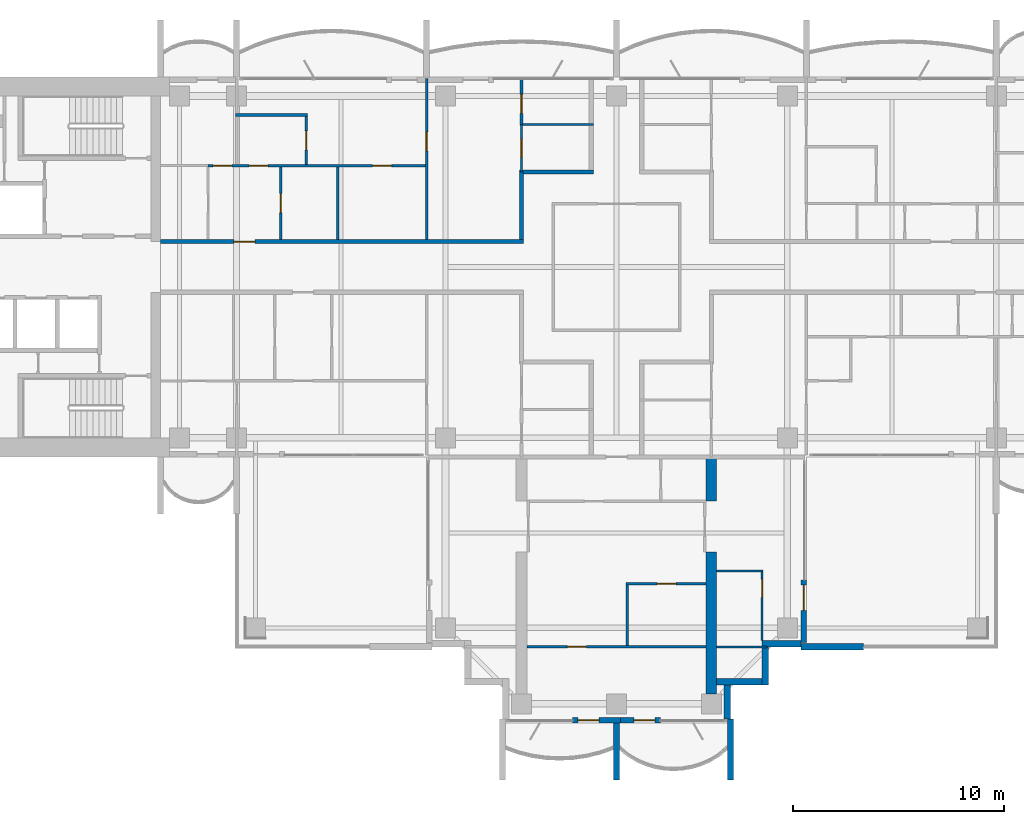
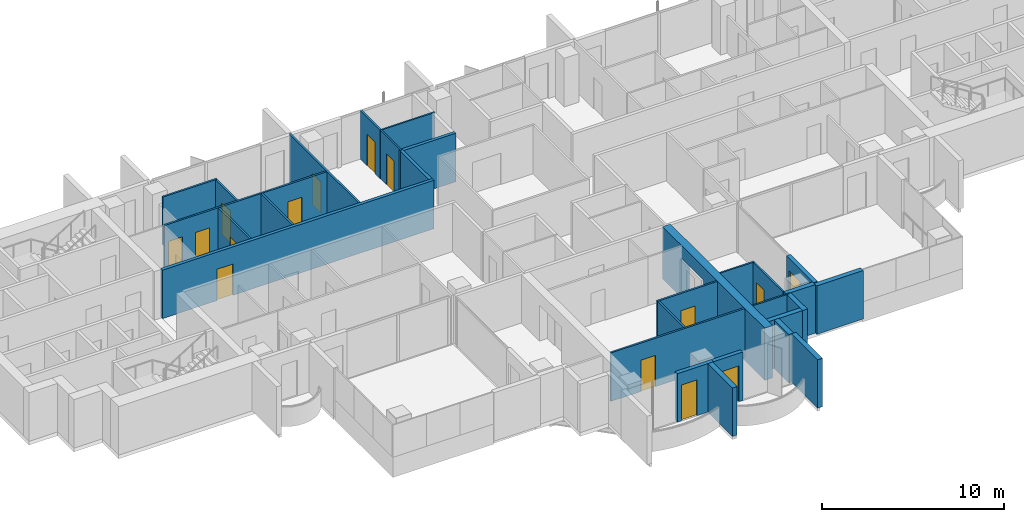
# One storey, part 10 of 18: 29 walls, 15 doors, 15 openings.
"""IFC4 building model written with IfcOpenShell, lengths in metres."""

from ifc_helpers import new_model, si_unit, direction, frame, frame_2d, origin, place, context, subcontext, project, spatial, polyline, rectangle, outline, extrude, material, layer, layer_set, material_profile, profile_set, type_object, element, fill, save


model = new_model("IFC4")

# Units and contexts
model_context = context("Model", 3, precision=1e-05, world=origin(), true_north=direction((0.0, 1.0)))
body_context = subcontext(model_context, "Body", "Model", "MODEL_VIEW")
ifc_project = project(units=[si_unit("LENGTHUNIT", "METRE"), si_unit("AREAUNIT", "SQUARE_METRE"), si_unit("VOLUMEUNIT", "CUBIC_METRE"), si_unit("PLANEANGLEUNIT", "RADIAN"), si_unit("MASSUNIT", "GRAM", prefix="KILO")], contexts=[model_context])

# Site, building, storey
site_placement = place(None, origin())
site = spatial("IfcSite", under=ifc_project, at=site_placement, CompositionType="ELEMENT")
building_placement = place(site_placement, origin())
building = spatial("IfcBuilding", under=site, at=building_placement, Name="Perihelion Cross Residences", CompositionType="ELEMENT")
storey_placement = place(building_placement, frame((0.0, 0.0, 173.60009765625)))
storey = spatial("IfcBuildingStorey", under=building, at=storey_placement, Name="L42", CompositionType="ELEMENT", Elevation=173.60009765625)

# Wall, opening, door
ifc_material_1 = material(Name="Plasterboard partition")
ifc_layer_1 = layer(ifc_material_1, 0.199951171875)
ifc_layer_set_1 = layer_set([ifc_layer_1], Name="Apartment separation wall 200")
wall_type_1 = type_object("IfcWallType", Name="Apartment separation wall 200", PredefinedType="PARTITIONING", material=ifc_layer_set_1)
wall_1_placement = place(storey_placement, frame((-21.60009765625, 1.199951171875, 0.0), z_axis=(0.0, 0.0, 1.0), x_axis=(1.0, 0.0, 0.0)))
wall_1 = element("IfcWall", 1, at=wall_1_placement, inside=storey, type_object=wall_type_1, Name="Partition L42 W013", PredefinedType="PARTITIONING", context=body_context, shape_type="SweptSolid", body=[
    extrude(rectangle(XDim=17.2001953125, YDim=0.199951171875, at=frame_2d((8.60009765625, 0.0))), origin(), (0.0, 0.0, 1.0), 3.25),
])
opening_1_placement = place(wall_1_placement, frame((3.47509765625, 0.0, 0.0)))
opening_1 = element("IfcOpeningElement", 2, at=opening_1_placement, cuts=wall_1, Name="Opening L42.A47", PredefinedType="OPENING", context=body_context, shape_type="SweptSolid", body=[
    extrude(rectangle(XDim=1.0, YDim=2.10009765625, at=frame_2d((0.5, 1.050048828125))), frame((0.0, 0.10986328125, 0.0), z_axis=(0.0, -1.0, 0.0), x_axis=(1.0, 0.0, 0.0)), (0.0, 0.0, 1.0), 0.219970703125),
])
ifc_material_2 = material(Name="Timber door leaf", Category="wood")
door_type_1 = type_object("IfcDoorType", Name="Flat entrance door 1000 x 2100", OperationType="SINGLE_SWING_LEFT", PredefinedType="DOOR", material=ifc_material_2)
door_1_placement = place(opening_1_placement, origin())
door_1 = element("IfcDoor", 3, at=door_1_placement, inside=storey, type_object=door_type_1, Name="Door L42.A47", OperationType="SINGLE_SWING_LEFT", OverallHeight=2.10009765625, OverallWidth=1.0, PredefinedType="DOOR", context=body_context, shape_type="SweptSolid", body=[
    extrude(rectangle(XDim=1.0, YDim=2.10009765625, at=frame_2d((0.5, 1.050048828125))), frame((0.0, 0.02490234375, 0.0), z_axis=(0.0, -1.0, 0.0), x_axis=(1.0, 0.0, 0.0)), (0.0, 0.0, 1.0), 0.050048828125),
])
fill(opening_1, door_1)

# Walls
wall_2_placement = place(storey_placement, frame((-4.5, 1.300048828125, 0.0), z_axis=(0.0, 0.0, 1.0), x_axis=(0.0, 1.0, 0.0)))
element("IfcWall", 4, at=wall_2_placement, inside=storey, type_object=wall_type_1, Name="Partition L42 W014", PredefinedType="PARTITIONING", context=body_context, shape_type="SweptSolid", body=[
    extrude(rectangle(XDim=3.199951171875, YDim=0.199951171875, at=frame_2d((1.60009765625, 0.0))), origin(), (0.0, 0.0, 1.0), 3.25),
])
wall_3_placement = place(storey_placement, frame((-4.60009765625, 4.5, 0.0), z_axis=(0.0, 0.0, 1.0), x_axis=(1.0, 0.0, 0.0)))
element("IfcWall", 5, at=wall_3_placement, inside=storey, type_object=wall_type_1, Name="Partition L42 W015", PredefinedType="PARTITIONING", context=body_context, shape_type="SweptSolid", body=[
    extrude(rectangle(XDim=3.5, YDim=0.199951171875, at=frame_2d((1.75, 0.0))), origin(), (0.0, 0.0, 1.0), 3.25),
])

# Wall, opening, door
ifc_material_3 = material(Name="Concrete C30/37, bronze-clad", Category="concrete")
ifc_layer_2 = layer(ifc_material_3, 0.25)
ifc_layer_set_2 = layer_set([ifc_layer_2], Name="Bronze-clad pier wall 250")
wall_type_2 = type_object("IfcWallType", Name="Bronze-clad pier wall 250", PredefinedType="SOLIDWALL", material=ifc_layer_set_2)
wall_4_placement = place(storey_placement, frame((-2.074951171875, -21.47509765625, 0.0), z_axis=(0.0, 0.0, 1.0), x_axis=(1.0, 0.0, 0.0)))
wall_4 = element("IfcWall", 6, at=wall_4_placement, inside=storey, type_object=wall_type_2, Name="Wall FW1 L42 south tip south bay 1 pier", PredefinedType="SOLIDWALL", context=body_context, shape_type="SweptSolid", body=[
    extrude(rectangle(XDim=2.27490234375, YDim=0.25, at=frame_2d((1.137451171875, 0.0))), origin(), (0.0, 0.0, 1.0), 3.25),
])
opening_2_placement = place(wall_4_placement, frame((0.25, 0.0, 0.0)))
opening_2 = element("IfcOpeningElement", 7, at=opening_2_placement, cuts=wall_4, Name="Opening L42.E10", PredefinedType="OPENING", context=body_context, shape_type="SweptSolid", body=[
    extrude(rectangle(XDim=1.0, YDim=2.39990234375, at=frame_2d((0.5, 1.199951171875))), frame((0.0, 0.135009765625, 0.0), z_axis=(0.0, -1.0, 0.0), x_axis=(1.0, 0.0, 0.0)), (0.0, 0.0, 1.0), 0.27001953125),
])
ifc_material_4 = material(Name="Bronze anodised aluminium, glazed", Category="aluminium")
door_type_2 = type_object("IfcDoorType", Name="Balcony door 1000 x 2400", OperationType="NOTDEFINED", PredefinedType="DOOR", material=ifc_material_4)
door_2_placement = place(opening_2_placement, origin())
door_2 = element("IfcDoor", 8, at=door_2_placement, inside=storey, type_object=door_type_2, Name="Door L42.E10 south tip south bay 1", OperationType="SINGLE_SWING_RIGHT", OverallHeight=2.39990234375, OverallWidth=1.0, PredefinedType="DOOR", context=body_context, shape_type="SweptSolid", body=[
    extrude(rectangle(XDim=1.0, YDim=2.39990234375, at=frame_2d((0.5, 1.199951171875))), frame((0.0, 0.02490234375, 0.0), z_axis=(0.0, -1.0, 0.0), x_axis=(1.0, 0.0, 0.0)), (0.0, 0.0, 1.0), 0.050048828125),
])
fill(opening_2, door_2)

wall_5_placement = place(storey_placement, frame((0.199951171875, -21.47509765625, 0.0), z_axis=(0.0, 0.0, 1.0), x_axis=(1.0, 0.0, 0.0)))
wall_5 = element("IfcWall", 9, at=wall_5_placement, inside=storey, type_object=wall_type_2, Name="Wall FW1 L42 south tip south bay 2 pier", PredefinedType="SOLIDWALL", context=body_context, shape_type="SweptSolid", body=[
    extrude(rectangle(XDim=1.875, YDim=0.25, at=frame_2d((0.9375, 0.0))), origin(), (0.0, 0.0, 1.0), 3.25),
])
opening_3_placement = place(wall_5_placement, frame((0.625, 0.0, 0.0)))
opening_3 = element("IfcOpeningElement", 10, at=opening_3_placement, cuts=wall_5, Name="Opening L42.E11", PredefinedType="OPENING", context=body_context, shape_type="SweptSolid", body=[
    extrude(rectangle(XDim=1.0, YDim=2.39990234375, at=frame_2d((0.5, 1.199951171875))), frame((0.0, 0.135009765625, 0.0), z_axis=(0.0, -1.0, 0.0), x_axis=(1.0, 0.0, 0.0)), (0.0, 0.0, 1.0), 0.27001953125),
])
door_3_placement = place(opening_3_placement, origin())
door_3 = element("IfcDoor", 11, at=door_3_placement, inside=storey, type_object=door_type_2, Name="Door L42.E11 south tip south bay 2", OperationType="SINGLE_SWING_LEFT", OverallHeight=2.39990234375, OverallWidth=1.0, PredefinedType="DOOR", context=body_context, shape_type="SweptSolid", body=[
    extrude(rectangle(XDim=1.0, YDim=2.39990234375, at=frame_2d((0.5, 1.199951171875))), frame((0.0, 0.02490234375, 0.0), z_axis=(0.0, -1.0, 0.0), x_axis=(1.0, 0.0, 0.0)), (0.0, 0.0, 1.0), 0.050048828125),
])
fill(opening_3, door_3)

wall_6_placement = place(storey_placement, frame((8.875, -17.800048828125, 0.0), z_axis=(0.0, 0.0, 1.0), x_axis=(0.0, 1.0, 0.0)))
wall_6 = element("IfcWall", 12, at=wall_6_placement, inside=storey, type_object=wall_type_2, Name="Wall FW1 L42 south side east bay 1 pier", PredefinedType="SOLIDWALL", context=body_context, shape_type="SweptSolid", body=[
    extrude(rectangle(XDim=2.97509765625, YDim=0.25, at=frame_2d((1.487548828125, 0.0))), origin(), (0.0, 0.0, 1.0), 3.25),
])
opening_4_placement = place(wall_6_placement, frame((1.52490234375, 0.0, 0.0)))
opening_4 = element("IfcOpeningElement", 13, at=opening_4_placement, cuts=wall_6, Name="Opening L42.E12", PredefinedType="OPENING", context=body_context, shape_type="SweptSolid", body=[
    extrude(rectangle(XDim=1.199951171875, YDim=2.39990234375, at=frame_2d((0.60009765625, 1.199951171875))), frame((0.0, 0.135009765625, 0.0), z_axis=(0.0, -1.0, 0.0), x_axis=(1.0, 0.0, 0.0)), (0.0, 0.0, 1.0), 0.27001953125),
])
ifc_material_5 = material(Name="Bronze anodised aluminium, glazed", Category="aluminium")
door_type_3 = type_object("IfcDoorType", Name="Balcony door 1200 x 2400", OperationType="NOTDEFINED", PredefinedType="DOOR", material=ifc_material_5)
door_4_placement = place(opening_4_placement, origin())
door_4 = element("IfcDoor", 14, at=door_4_placement, inside=storey, type_object=door_type_3, Name="Door L42.E12 south side east bay 1", OperationType="SINGLE_SWING_RIGHT", OverallHeight=2.39990234375, OverallWidth=1.199951171875, PredefinedType="DOOR", context=body_context, shape_type="SweptSolid", body=[
    extrude(rectangle(XDim=1.199951171875, YDim=2.39990234375, at=frame_2d((0.60009765625, 1.199951171875))), frame((0.0, 0.02490234375, 0.0), z_axis=(0.0, -1.0, 0.0), x_axis=(1.0, 0.0, 0.0)), (0.0, 0.0, 1.0), 0.050048828125),
])
fill(opening_4, door_4)

# Walls
ifc_material_6 = material(Name="Concrete C30/37, bronze-clad", Category="concrete")
ifc_layer_3 = layer(ifc_material_6, 0.300048828125)
ifc_layer_set_3 = layer_set([ifc_layer_3], Name="Bronze-clad serration wall 300")
wall_type_3 = type_object("IfcWallType", Name="Bronze-clad serration wall 300", PredefinedType="SOLIDWALL", material=ifc_layer_set_3)
wall_7_placement = place(storey_placement, frame((5.25, -21.419921875, 0.0), z_axis=(0.0, 0.0, 1.0), x_axis=(0.0, 1.0, 0.0)))
element("IfcWall", 15, at=wall_7_placement, inside=storey, type_object=wall_type_3, Name="Wall SR1 L42 south corner south-east 1", PredefinedType="SOLIDWALL", context=body_context, shape_type="SweptSolid", body=[
    extrude(rectangle(XDim=1.619873046875, YDim=0.300048828125, at=frame_2d((0.81005859375, 0.0))), origin(), (0.0, 0.0, 1.0), 3.25),
])
wall_8_placement = place(storey_placement, frame((4.75, -19.64990234375, 0.0), z_axis=(0.0, 0.0, 1.0), x_axis=(1.0, 0.0, 0.0)))
element("IfcWall", 16, at=wall_8_placement, inside=storey, type_object=wall_type_3, Name="Wall SR1 L42 south corner south-east 2", PredefinedType="SOLIDWALL", context=body_context, shape_type="SweptSolid", body=[
    extrude(rectangle(XDim=2.14990234375, YDim=0.300048828125, at=frame_2d((1.074951171875, 0.0))), origin(), (0.0, 0.0, 1.0), 3.25),
])
wall_9_placement = place(storey_placement, frame((7.050048828125, -19.800048828125, 0.0), z_axis=(0.0, 0.0, 1.0), x_axis=(0.0, 1.0, 0.0)))
element("IfcWall", 17, at=wall_9_placement, inside=storey, type_object=wall_type_3, Name="Wall SR1 L42 south corner south-east 3", PredefinedType="SOLIDWALL", context=body_context, shape_type="SweptSolid", body=[
    extrude(rectangle(XDim=1.800048828125, YDim=0.300048828125, at=frame_2d((0.89990234375, 0.0))), origin(), (0.0, 0.0, 1.0), 3.25),
])
wall_10_placement = place(storey_placement, frame((6.89990234375, -17.85009765625, 0.0), z_axis=(0.0, 0.0, 1.0), x_axis=(1.0, 0.0, 0.0)))
element("IfcWall", 18, at=wall_10_placement, inside=storey, type_object=wall_type_3, Name="Wall SR1 L42 south corner south-east 4", PredefinedType="SOLIDWALL", context=body_context, shape_type="SweptSolid", body=[
    extrude(rectangle(XDim=1.85009765625, YDim=0.300048828125, at=frame_2d((0.925048828125, 0.0))), origin(), (0.0, 0.0, 1.0), 3.25),
])
ifc_material_7 = material(Name="Plasterboard partition")
ifc_layer_4 = layer(ifc_material_7, 0.1201171875)
ifc_layer_set_4 = layer_set([ifc_layer_4], Name="Partition wall 120")
wall_type_4 = type_object("IfcWallType", Name="Partition wall 120", PredefinedType="PARTITIONING", material=ifc_layer_set_4)
wall_11_placement = place(storey_placement, frame((-13.199951171875, 1.300048828125, 0.0), z_axis=(0.0, 0.0, 1.0), x_axis=(0.0, 1.0, 0.0)))
element("IfcWall", 19, at=wall_11_placement, inside=storey, type_object=wall_type_4, Name="Partition L42 W051", PredefinedType="PARTITIONING", context=body_context, shape_type="SweptSolid", body=[
    extrude(rectangle(XDim=3.43994140625, YDim=0.1201171875, at=frame_2d((1.719970703125, 0.0))), origin(), (0.0, 0.0, 1.0), 3.25),
])

# Wall, openings, doors
wall_12_placement = place(storey_placement, frame((-19.35009765625, 4.800048828125, 0.0), z_axis=(0.0, 0.0, 1.0), x_axis=(1.0, 0.0, 0.0)))
wall_12 = element("IfcWall", 20, at=wall_12_placement, inside=storey, type_object=wall_type_4, Name="Partition L42 W052", PredefinedType="PARTITIONING", context=body_context, shape_type="SweptSolid", body=[
    extrude(rectangle(XDim=10.41015625, YDim=0.1201171875, at=frame_2d((5.205078125, 0.0))), origin(), (0.0, 0.0, 1.0), 3.25),
])
opening_5_placement = place(wall_12_placement, frame((1.949951171875, 0.0, 0.0)))
opening_5 = element("IfcOpeningElement", 21, at=opening_5_placement, cuts=wall_12, Name="Opening L42.A25", PredefinedType="OPENING", context=body_context, shape_type="SweptSolid", body=[
    extrude(rectangle(XDim=0.89990234375, YDim=2.10009765625, at=frame_2d((0.449951171875, 1.050048828125))), frame((0.0, 0.070068359375, 0.0), z_axis=(0.0, -1.0, 0.0), x_axis=(1.0, 0.0, 0.0)), (0.0, 0.0, 1.0), 0.14013671875),
])
opening_6_placement = place(wall_12_placement, frame((7.800048828125, 0.0, 0.0)))
opening_6 = element("IfcOpeningElement", 22, at=opening_6_placement, cuts=wall_12, Name="Opening L42.A26", PredefinedType="OPENING", context=body_context, shape_type="SweptSolid", body=[
    extrude(rectangle(XDim=0.89990234375, YDim=2.10009765625, at=frame_2d((0.449951171875, 1.050048828125))), frame((0.0, 0.070068359375, 0.0), z_axis=(0.0, -1.0, 0.0), x_axis=(1.0, 0.0, 0.0)), (0.0, 0.0, 1.0), 0.14013671875),
])
opening_7_placement = place(wall_12_placement, frame((0.22509765625, 0.0, 0.0)))
opening_7 = element("IfcOpeningElement", 23, at=opening_7_placement, cuts=wall_12, Name="Opening L42.A30", PredefinedType="OPENING", context=body_context, shape_type="SweptSolid", body=[
    extrude(rectangle(XDim=0.89990234375, YDim=2.10009765625, at=frame_2d((0.449951171875, 1.050048828125))), frame((0.0, 0.070068359375, 0.0), z_axis=(0.0, -1.0, 0.0), x_axis=(1.0, 0.0, 0.0)), (0.0, 0.0, 1.0), 0.14013671875),
])
ifc_material_8 = material(Name="Timber door leaf", Category="wood")
door_type_4 = type_object("IfcDoorType", Name="Interior room door 900 x 2100", OperationType="SINGLE_SWING_LEFT", PredefinedType="DOOR", material=ifc_material_8)
door_5_placement = place(opening_5_placement, origin())
door_5 = element("IfcDoor", 24, at=door_5_placement, inside=storey, type_object=door_type_4, Name="Door L42.A25", OperationType="SINGLE_SWING_RIGHT", OverallHeight=2.10009765625, OverallWidth=0.89990234375, PredefinedType="DOOR", context=body_context, shape_type="SweptSolid", body=[
    extrude(rectangle(XDim=0.89990234375, YDim=2.10009765625, at=frame_2d((0.449951171875, 1.050048828125))), frame((0.0, 0.02490234375, 0.0), z_axis=(0.0, -1.0, 0.0), x_axis=(1.0, 0.0, 0.0)), (0.0, 0.0, 1.0), 0.050048828125),
])
fill(opening_5, door_5)
door_6_placement = place(opening_6_placement, origin())
door_6 = element("IfcDoor", 25, at=door_6_placement, inside=storey, type_object=door_type_4, Name="Door L42.A26", OperationType="SINGLE_SWING_LEFT", OverallHeight=2.10009765625, OverallWidth=0.89990234375, PredefinedType="DOOR", context=body_context, shape_type="SweptSolid", body=[
    extrude(rectangle(XDim=0.89990234375, YDim=2.10009765625, at=frame_2d((0.449951171875, 1.050048828125))), frame((0.0, 0.02490234375, 0.0), z_axis=(0.0, -1.0, 0.0), x_axis=(1.0, 0.0, 0.0)), (0.0, 0.0, 1.0), 0.050048828125),
])
fill(opening_6, door_6)
door_7_placement = place(opening_7_placement, origin())
door_7 = element("IfcDoor", 26, at=door_7_placement, inside=storey, type_object=door_type_4, Name="Door L42.A30", OperationType="SINGLE_SWING_LEFT", OverallHeight=2.10009765625, OverallWidth=0.89990234375, PredefinedType="DOOR", context=body_context, shape_type="SweptSolid", body=[
    extrude(rectangle(XDim=0.89990234375, YDim=2.10009765625, at=frame_2d((0.449951171875, 1.050048828125))), frame((0.0, 0.02490234375, 0.0), z_axis=(0.0, -1.0, 0.0), x_axis=(1.0, 0.0, 0.0)), (0.0, 0.0, 1.0), 0.050048828125),
])
fill(opening_7, door_7)

# Wall, opening, door
wall_13_placement = place(storey_placement, frame((-9.0, 8.919921875, 0.0), z_axis=(0.0, 0.0, 1.0), x_axis=(0.0, -1.0, 0.0)))
wall_13 = element("IfcWall", 27, at=wall_13_placement, inside=storey, type_object=wall_type_4, Name="Partition L42 W053", PredefinedType="PARTITIONING", context=body_context, shape_type="SweptSolid", body=[
    extrude(rectangle(XDim=7.619873046875, YDim=0.1201171875, at=frame_2d((3.81005859375, 0.0))), origin(), (0.0, 0.0, 1.0), 3.25),
])
opening_8_placement = place(wall_13_placement, frame((2.52001953125, 0.0, 0.0)))
opening_8 = element("IfcOpeningElement", 28, at=opening_8_placement, cuts=wall_13, Name="Opening L42.A24", PredefinedType="OPENING", context=body_context, shape_type="SweptSolid", body=[
    extrude(rectangle(XDim=0.89990234375, YDim=2.10009765625, at=frame_2d((0.449951171875, 1.050048828125))), frame((0.0, 0.070068359375, 0.0), z_axis=(0.0, -1.0, 0.0), x_axis=(1.0, 0.0, 0.0)), (0.0, 0.0, 1.0), 0.14013671875),
])
door_8_placement = place(opening_8_placement, origin())
door_8 = element("IfcDoor", 29, at=door_8_placement, inside=storey, type_object=door_type_4, Name="Door L42.A24", OperationType="SINGLE_SWING_RIGHT", OverallHeight=2.10009765625, OverallWidth=0.89990234375, PredefinedType="DOOR", context=body_context, shape_type="SweptSolid", body=[
    extrude(rectangle(XDim=0.89990234375, YDim=2.10009765625, at=frame_2d((0.449951171875, 1.050048828125))), frame((0.0, 0.02490234375, 0.0), z_axis=(0.0, -1.0, 0.0), x_axis=(1.0, 0.0, 0.0)), (0.0, 0.0, 1.0), 0.050048828125),
])
fill(opening_8, door_8)

wall_14_placement = place(storey_placement, frame((-15.89990234375, 1.300048828125, 0.0), z_axis=(0.0, 0.0, 1.0), x_axis=(0.0, 1.0, 0.0)))
wall_14 = element("IfcWall", 30, at=wall_14_placement, inside=storey, type_object=wall_type_4, Name="Partition L42 W054", PredefinedType="PARTITIONING", context=body_context, shape_type="SweptSolid", body=[
    extrude(rectangle(XDim=3.43994140625, YDim=0.1201171875, at=frame_2d((1.719970703125, 0.0))), origin(), (0.0, 0.0, 1.0), 3.25),
])
opening_9_placement = place(wall_14_placement, frame((1.27001953125, 0.0, 0.0)))
opening_9 = element("IfcOpeningElement", 31, at=opening_9_placement, cuts=wall_14, Name="Opening L42.A28", PredefinedType="OPENING", context=body_context, shape_type="SweptSolid", body=[
    extrude(rectangle(XDim=0.89990234375, YDim=2.10009765625, at=frame_2d((0.449951171875, 1.050048828125))), frame((0.0, 0.070068359375, 0.0), z_axis=(0.0, -1.0, 0.0), x_axis=(1.0, 0.0, 0.0)), (0.0, 0.0, 1.0), 0.14013671875),
])
door_9_placement = place(opening_9_placement, origin())
door_9 = element("IfcDoor", 32, at=door_9_placement, inside=storey, type_object=door_type_4, Name="Door L42.A28", OperationType="SINGLE_SWING_LEFT", OverallHeight=2.10009765625, OverallWidth=0.89990234375, PredefinedType="DOOR", context=body_context, shape_type="SweptSolid", body=[
    extrude(rectangle(XDim=0.89990234375, YDim=2.10009765625, at=frame_2d((0.449951171875, 1.050048828125))), frame((0.0, 0.02490234375, 0.0), z_axis=(0.0, -1.0, 0.0), x_axis=(1.0, 0.0, 0.0)), (0.0, 0.0, 1.0), 0.050048828125),
])
fill(opening_9, door_9)

wall_15_placement = place(storey_placement, frame((-14.699951171875, 4.860107421875, 0.0), z_axis=(0.0, 0.0, 1.0), x_axis=(0.0, 1.0, 0.0)))
wall_15 = element("IfcWall", 33, at=wall_15_placement, inside=storey, type_object=wall_type_4, Name="Partition L42 W057", PredefinedType="PARTITIONING", context=body_context, shape_type="SweptSolid", body=[
    extrude(rectangle(XDim=2.27978515625, YDim=0.1201171875, at=frame_2d((1.139892578125, 0.0))), origin(), (0.0, 0.0, 1.0), 3.25),
])
opening_10_placement = place(wall_15_placement, frame((0.68994140625, 0.0, 0.0)))
opening_10 = element("IfcOpeningElement", 34, at=opening_10_placement, cuts=wall_15, Name="Opening L42.A29", PredefinedType="OPENING", context=body_context, shape_type="SweptSolid", body=[
    extrude(rectangle(XDim=0.89990234375, YDim=2.10009765625, at=frame_2d((0.449951171875, 1.050048828125))), frame((0.0, 0.070068359375, 0.0), z_axis=(0.0, -1.0, 0.0), x_axis=(1.0, 0.0, 0.0)), (0.0, 0.0, 1.0), 0.14013671875),
])
door_10_placement = place(opening_10_placement, origin())
door_10 = element("IfcDoor", 35, at=door_10_placement, inside=storey, type_object=door_type_4, Name="Door L42.A29", OperationType="SINGLE_SWING_RIGHT", OverallHeight=2.10009765625, OverallWidth=0.89990234375, PredefinedType="DOOR", context=body_context, shape_type="SweptSolid", body=[
    extrude(rectangle(XDim=0.89990234375, YDim=2.10009765625, at=frame_2d((0.449951171875, 1.050048828125))), frame((0.0, 0.02490234375, 0.0), z_axis=(0.0, -1.0, 0.0), x_axis=(1.0, 0.0, 0.0)), (0.0, 0.0, 1.0), 0.050048828125),
])
fill(opening_10, door_10)

# Wall
wall_16_placement = place(storey_placement, frame((-14.639892578125, 7.199951171875, 0.0), z_axis=(0.0, 0.0, 1.0), x_axis=(-1.0, 0.0, 0.0)))
element("IfcWall", 36, at=wall_16_placement, inside=storey, type_object=wall_type_4, Name="Partition L42 W058", PredefinedType="PARTITIONING", context=body_context, shape_type="SweptSolid", body=[
    extrude(rectangle(XDim=3.420166015625, YDim=0.1201171875, at=frame_2d((1.7099609375, 0.0))), origin(), (0.0, 0.0, 1.0), 3.25),
])

# Wall, opening, door
wall_17_placement = place(storey_placement, frame((-4.5, 8.919921875, 0.0), z_axis=(0.0, 0.0, 1.0), x_axis=(0.0, -1.0, 0.0)))
wall_17 = element("IfcWall", 37, at=wall_17_placement, inside=storey, type_object=wall_type_4, Name="Partition L42 W061", PredefinedType="PARTITIONING", context=body_context, shape_type="SweptSolid", body=[
    extrude(rectangle(XDim=2.169921875, YDim=0.1201171875, at=frame_2d((1.0849609375, 0.0))), origin(), (0.0, 0.0, 1.0), 3.25),
])
opening_11_placement = place(wall_17_placement, frame((0.7451171875, 0.0, 0.0)))
opening_11 = element("IfcOpeningElement", 38, at=opening_11_placement, cuts=wall_17, Name="Opening L42.A27", PredefinedType="OPENING", context=body_context, shape_type="SweptSolid", body=[
    extrude(rectangle(XDim=0.89990234375, YDim=2.10009765625, at=frame_2d((0.449951171875, 1.050048828125))), frame((0.0, 0.070068359375, 0.0), z_axis=(0.0, -1.0, 0.0), x_axis=(1.0, 0.0, 0.0)), (0.0, 0.0, 1.0), 0.14013671875),
])
door_11_placement = place(opening_11_placement, origin())
door_11 = element("IfcDoor", 39, at=door_11_placement, inside=storey, type_object=door_type_4, Name="Door L42.A27", OperationType="SINGLE_SWING_LEFT", OverallHeight=2.10009765625, OverallWidth=0.89990234375, PredefinedType="DOOR", context=body_context, shape_type="SweptSolid", body=[
    extrude(rectangle(XDim=0.89990234375, YDim=2.10009765625, at=frame_2d((0.449951171875, 1.050048828125))), frame((0.0, 0.02490234375, 0.0), z_axis=(0.0, -1.0, 0.0), x_axis=(1.0, 0.0, 0.0)), (0.0, 0.0, 1.0), 0.050048828125),
])
fill(opening_11, door_11)

wall_18_placement = place(storey_placement, frame((4.25, -15.0, 0.0), z_axis=(0.0, 0.0, 1.0), x_axis=(-1.0, 0.0, 0.0)))
wall_18 = element("IfcWall", 40, at=wall_18_placement, inside=storey, type_object=wall_type_4, Name="Partition L42 W076", PredefinedType="PARTITIONING", context=body_context, shape_type="SweptSolid", body=[
    extrude(rectangle(XDim=3.81005859375, YDim=0.1201171875, at=frame_2d((1.905029296875, 0.0))), origin(), (0.0, 0.0, 1.0), 3.25),
])
opening_12_placement = place(wall_18_placement, frame((1.425048828125, 0.0, 0.0)))
opening_12 = element("IfcOpeningElement", 41, at=opening_12_placement, cuts=wall_18, Name="Opening L42.A42", PredefinedType="OPENING", context=body_context, shape_type="SweptSolid", body=[
    extrude(rectangle(XDim=0.89990234375, YDim=2.10009765625, at=frame_2d((0.449951171875, 1.050048828125))), frame((0.0, 0.070068359375, 0.0), z_axis=(0.0, -1.0, 0.0), x_axis=(1.0, 0.0, 0.0)), (0.0, 0.0, 1.0), 0.14013671875),
])
door_12_placement = place(opening_12_placement, origin())
door_12 = element("IfcDoor", 42, at=door_12_placement, inside=storey, type_object=door_type_4, Name="Door L42.A42", OperationType="SINGLE_SWING_LEFT", OverallHeight=2.10009765625, OverallWidth=0.89990234375, PredefinedType="DOOR", context=body_context, shape_type="SweptSolid", body=[
    extrude(rectangle(XDim=0.89990234375, YDim=2.10009765625, at=frame_2d((0.449951171875, 1.050048828125))), frame((0.0, 0.02490234375, 0.0), z_axis=(0.0, -1.0, 0.0), x_axis=(1.0, 0.0, 0.0)), (0.0, 0.0, 1.0), 0.050048828125),
])
fill(opening_12, door_12)

# Wall
wall_19_placement = place(storey_placement, frame((0.5, -15.06005859375, 0.0), z_axis=(0.0, 0.0, 1.0), x_axis=(0.0, -1.0, 0.0)))
element("IfcWall", 43, at=wall_19_placement, inside=storey, type_object=wall_type_4, Name="Partition L42 W077", PredefinedType="PARTITIONING", context=body_context, shape_type="SweptSolid", body=[
    extrude(rectangle(XDim=2.8798828125, YDim=0.1201171875, at=frame_2d((1.43994140625, 0.0))), origin(), (0.0, 0.0, 1.0), 3.25),
])

# Wall, opening, door
wall_20_placement = place(storey_placement, frame((4.25, -18.0, 0.0), z_axis=(0.0, 0.0, 1.0), x_axis=(-1.0, 0.0, 0.0)))
wall_20 = element("IfcWall", 44, at=wall_20_placement, inside=storey, type_object=wall_type_4, Name="Partition L42 W078", PredefinedType="PARTITIONING", context=body_context, shape_type="SweptSolid", body=[
    extrude(rectangle(XDim=8.5, YDim=0.1201171875, at=frame_2d((4.25, 0.0))), origin(), (0.0, 0.0, 1.0), 3.25),
])
opening_13_placement = place(wall_20_placement, frame((5.675048828125, 0.0, 0.0)))
opening_13 = element("IfcOpeningElement", 45, at=opening_13_placement, cuts=wall_20, Name="Opening L42.A43", PredefinedType="OPENING", context=body_context, shape_type="SweptSolid", body=[
    extrude(rectangle(XDim=0.89990234375, YDim=2.10009765625, at=frame_2d((0.449951171875, 1.050048828125))), frame((0.0, 0.070068359375, 0.0), z_axis=(0.0, -1.0, 0.0), x_axis=(1.0, 0.0, 0.0)), (0.0, 0.0, 1.0), 0.14013671875),
])
door_13_placement = place(opening_13_placement, origin())
door_13 = element("IfcDoor", 46, at=door_13_placement, inside=storey, type_object=door_type_4, Name="Door L42.A43", OperationType="SINGLE_SWING_RIGHT", OverallHeight=2.10009765625, OverallWidth=0.89990234375, PredefinedType="DOOR", context=body_context, shape_type="SweptSolid", body=[
    extrude(rectangle(XDim=0.89990234375, YDim=2.10009765625, at=frame_2d((0.449951171875, 1.050048828125))), frame((0.0, 0.02490234375, 0.0), z_axis=(0.0, -1.0, 0.0), x_axis=(1.0, 0.0, 0.0)), (0.0, 0.0, 1.0), 0.050048828125),
])
fill(opening_13, door_13)

# Walls
ifc_material_9 = material(Name="Precast concrete C50/60", Category="concrete")
ifc_layer_5 = layer(ifc_material_9, 0.300048828125)
ifc_layer_set_5 = layer_set([ifc_layer_5], Name="Precast concrete C50/60 blade wall 300")
wall_type_5 = type_object("IfcWallType", Name="Precast concrete C50/60 blade wall 300", PredefinedType="SOLIDWALL", material=ifc_layer_set_5)
wall_21_placement = place(storey_placement, frame((0.0, -21.60009765625, 0.0), z_axis=(0.0, 0.0, 1.0), x_axis=(0.0, -1.0, 0.0)))
element("IfcWall", 47, at=wall_21_placement, inside=storey, type_object=wall_type_5, Name="Wall BL1 L42 no. 8", PredefinedType="SOLIDWALL", context=body_context, shape_type="SweptSolid", body=[
    extrude(rectangle(XDim=2.699951171875, YDim=0.300048828125, at=frame_2d((1.35009765625, 0.0))), origin(), (0.0, 0.0, 1.0), 3.25),
])
wall_22_placement = place(storey_placement, frame((5.39990234375, -21.419921875, 0.0), z_axis=(0.0, 0.0, 1.0), x_axis=(0.0, -1.0, 0.0)))
element("IfcWall", 48, at=wall_22_placement, inside=storey, type_object=wall_type_5, Name="Wall BL1 L42 no. 14", PredefinedType="SOLIDWALL", context=body_context, shape_type="SweptSolid", body=[
    extrude(rectangle(XDim=2.880126953125, YDim=0.300048828125, at=frame_2d((1.43994140625, 0.0))), origin(), (0.0, 0.0, 1.0), 3.25),
])
wall_23_placement = place(storey_placement, frame((8.75, -18.0, 0.0), z_axis=(0.0, 0.0, 1.0), x_axis=(1.0, 0.0, 0.0)))
element("IfcWall", 49, at=wall_23_placement, inside=storey, type_object=wall_type_5, Name="Wall BL1 L42 no. 15", PredefinedType="SOLIDWALL", context=body_context, shape_type="SweptSolid", body=[
    extrude(rectangle(XDim=2.949951171875, YDim=0.300048828125, at=frame_2d((1.47509765625, 0.0))), origin(), (0.0, 0.0, 1.0), 3.25),
])
ifc_material_10 = material(Name="Concrete C60/75", Category="concrete")
ifc_material_profile = material_profile(ifc_material_10, outline(polyline([(0.0, 0.0), (6.72509765625, 0.0), (6.72509765625, 2.64990234375), (9.125, 2.64990234375), (9.125, 0.0), (11.22509765625, 0.0), (11.22509765625, 3.5), (0.0, 3.5), (0.0, 0.0)])), Name="Tip spine wall")
ifc_profile_set = profile_set([ifc_material_profile], Name="Concrete C60/75")
wall_type_6 = type_object("IfcWallType", Name="Tip spine wall 500 with 1 door openings 11225 long 3500 high concrete C60/75", PredefinedType="SHEAR", material=ifc_profile_set)
wall_24_placement = place(storey_placement, frame((4.25, -20.22509765625, -0.25), z_axis=(1.0, 0.0, 0.0), x_axis=(0.0, 1.0, 0.0)))
element("IfcWall", 50, at=wall_24_placement, inside=storey, type_object=wall_type_6, Name="Shear wall SW41 L42 south east", PredefinedType="SHEAR", context=body_context, shape_type="SweptSolid", body=[
    extrude(outline(polyline([(0.0, 0.0), (6.72509765625, 0.0), (6.72509765625, 2.64990234375), (9.125, 2.64990234375), (9.125, 0.0), (11.22509765625, 0.0), (11.22509765625, 3.5), (0.0, 3.5), (0.0, 0.0)])), origin(), (0.0, 0.0, 1.0), 0.5),
])

# Wall, opening, door
ifc_material_11 = material(Name="Plasterboard partition")
ifc_layer_6 = layer(ifc_material_11, 0.10009765625)
ifc_layer_set_6 = layer_set([ifc_layer_6], Name="Wet room wall 100")
wall_type_7 = type_object("IfcWallType", Name="Wet room wall 100", PredefinedType="PARTITIONING", material=ifc_layer_set_6)
wall_25_placement = place(storey_placement, frame((-4.5, 6.75, 0.0), z_axis=(0.0, 0.0, 1.0), x_axis=(0.0, -1.0, 0.0)))
wall_25 = element("IfcWall", 51, at=wall_25_placement, inside=storey, type_object=wall_type_7, Name="Partition L42 W060", PredefinedType="PARTITIONING", context=body_context, shape_type="SweptSolid", body=[
    extrude(rectangle(XDim=2.25, YDim=0.10009765625, at=frame_2d((1.125, 0.0))), origin(), (0.0, 0.0, 1.0), 3.25),
])
opening_14_placement = place(wall_25_placement, frame((0.699951171875, 0.0, 0.0)))
opening_14 = element("IfcOpeningElement", 52, at=opening_14_placement, cuts=wall_25, Name="Opening L42.A22", PredefinedType="OPENING", context=body_context, shape_type="SweptSolid", body=[
    extrude(rectangle(XDim=0.85009765625, YDim=2.10009765625, at=frame_2d((0.425048828125, 1.050048828125))), frame((0.0, 0.06005859375, 0.0), z_axis=(0.0, -1.0, 0.0), x_axis=(1.0, 0.0, 0.0)), (0.0, 0.0, 1.0), 0.1201171875),
])
ifc_material_12 = material(Name="Timber door leaf", Category="wood")
door_type_5 = type_object("IfcDoorType", Name="Interior bathroom door 850 x 2100", OperationType="SINGLE_SWING_LEFT", PredefinedType="DOOR", material=ifc_material_12)
door_14_placement = place(opening_14_placement, origin())
door_14 = element("IfcDoor", 53, at=door_14_placement, inside=storey, type_object=door_type_5, Name="Door L42.A22", OperationType="SINGLE_SWING_RIGHT", OverallHeight=2.10009765625, OverallWidth=0.85009765625, PredefinedType="DOOR", context=body_context, shape_type="SweptSolid", body=[
    extrude(rectangle(XDim=0.85009765625, YDim=2.10009765625, at=frame_2d((0.425048828125, 1.050048828125))), frame((0.0, 0.02490234375, 0.0), z_axis=(0.0, -1.0, 0.0), x_axis=(1.0, 0.0, 0.0)), (0.0, 0.0, 1.0), 0.050048828125),
])
fill(opening_14, door_14)

# Wall
wall_26_placement = place(storey_placement, frame((-4.56005859375, 6.75, 0.0), z_axis=(0.0, 0.0, 1.0), x_axis=(1.0, 0.0, 0.0)))
element("IfcWall", 54, at=wall_26_placement, inside=storey, type_object=wall_type_7, Name="Partition L42 W062", PredefinedType="PARTITIONING", context=body_context, shape_type="SweptSolid", body=[
    extrude(rectangle(XDim=3.4599609375, YDim=0.10009765625, at=frame_2d((1.72998046875, 0.0))), origin(), (0.0, 0.0, 1.0), 3.25),
])

# Wall, opening, door
wall_27_placement = place(storey_placement, frame((6.89990234375, -17.699951171875, 0.0), z_axis=(0.0, 0.0, 1.0), x_axis=(0.0, 1.0, 0.0)))
wall_27 = element("IfcWall", 55, at=wall_27_placement, inside=storey, type_object=wall_type_7, Name="Partition L42 W079", PredefinedType="PARTITIONING", context=body_context, shape_type="SweptSolid", body=[
    extrude(rectangle(XDim=3.25, YDim=0.10009765625, at=frame_2d((1.625, 0.0))), origin(), (0.0, 0.0, 1.0), 3.25),
])
opening_15_placement = place(wall_27_placement, frame((2.050048828125, 0.0, 0.0)))
opening_15 = element("IfcOpeningElement", 56, at=opening_15_placement, cuts=wall_27, Name="Opening L42.A44", PredefinedType="OPENING", context=body_context, shape_type="SweptSolid", body=[
    extrude(rectangle(XDim=0.85009765625, YDim=2.10009765625, at=frame_2d((0.425048828125, 1.050048828125))), frame((0.0, 0.06005859375, 0.0), z_axis=(0.0, -1.0, 0.0), x_axis=(1.0, 0.0, 0.0)), (0.0, 0.0, 1.0), 0.1201171875),
])
door_15_placement = place(opening_15_placement, origin())
door_15 = element("IfcDoor", 57, at=door_15_placement, inside=storey, type_object=door_type_5, Name="Door L42.A44", OperationType="SINGLE_SWING_LEFT", OverallHeight=2.10009765625, OverallWidth=0.85009765625, PredefinedType="DOOR", context=body_context, shape_type="SweptSolid", body=[
    extrude(rectangle(XDim=0.85009765625, YDim=2.10009765625, at=frame_2d((0.425048828125, 1.050048828125))), frame((0.0, 0.02490234375, 0.0), z_axis=(0.0, -1.0, 0.0), x_axis=(1.0, 0.0, 0.0)), (0.0, 0.0, 1.0), 0.050048828125),
])
fill(opening_15, door_15)

# Walls
wall_28_placement = place(storey_placement, frame((6.949951171875, -14.39990234375, 0.0), z_axis=(0.0, 0.0, 1.0), x_axis=(-1.0, 0.0, 0.0)))
element("IfcWall", 58, at=wall_28_placement, inside=storey, type_object=wall_type_7, Name="Partition L42 W080", PredefinedType="PARTITIONING", context=body_context, shape_type="SweptSolid", body=[
    extrude(rectangle(XDim=2.199951171875, YDim=0.10009765625, at=frame_2d((1.10009765625, 0.0))), origin(), (0.0, 0.0, 1.0), 3.25),
])
wall_29_placement = place(storey_placement, frame((7.1201171875, -18.0, 0.0), z_axis=(0.0, 0.0, 1.0), x_axis=(-1.0, 0.0, 0.0)))
element("IfcWall", 59, at=wall_29_placement, inside=storey, type_object=wall_type_7, Name="Partition L42 W081", PredefinedType="PARTITIONING", context=body_context, shape_type="SweptSolid", body=[
    extrude(rectangle(XDim=2.3701171875, YDim=0.10009765625, at=frame_2d((1.18505859375, 0.0))), origin(), (0.0, 0.0, 1.0), 3.25),
])

save(model, "model.ifc")
